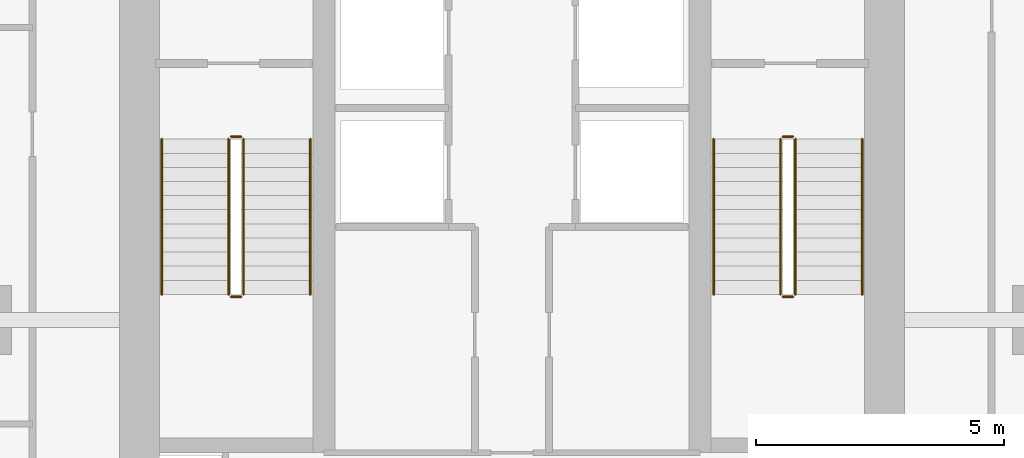
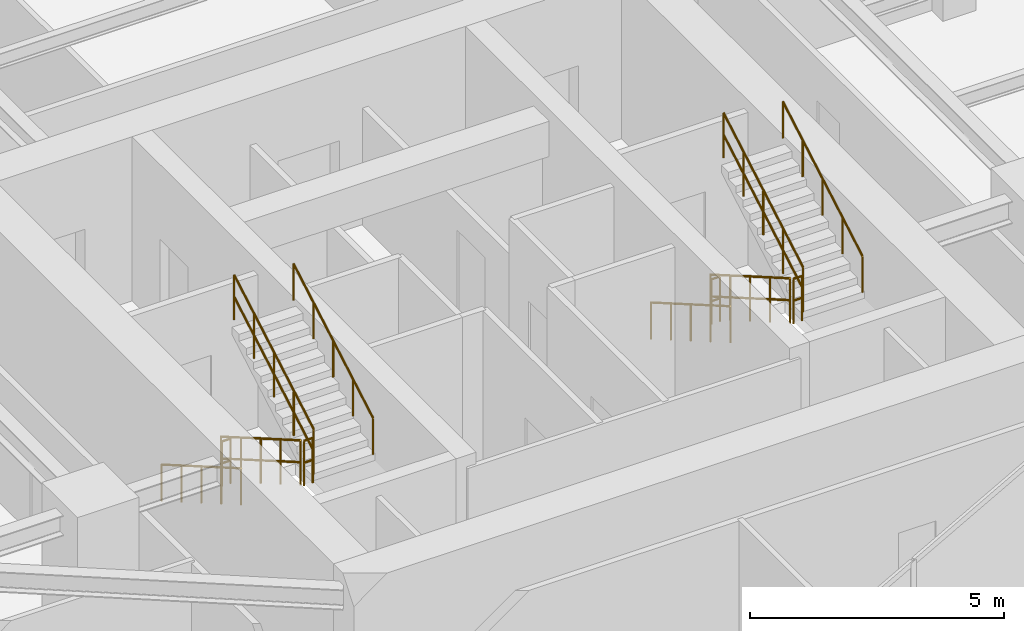
# One storey, part 21 of 22: 12 railings.
"""IFC4 building model written with IfcOpenShell, lengths in metres."""

from ifc_helpers import new_model, si_unit, direction, frame, origin, origin_2d, place, context, subcontext, project, spatial, circle, extrude, material, layer, layer_set, type_object, element, save


model = new_model("IFC4")

# Units and contexts
model_context = context("Model", 3, precision=1e-05, world=origin(), true_north=direction((0.0, 1.0)))
body_context = subcontext(model_context, "Body", "Model", "MODEL_VIEW")
ifc_project = project(units=[si_unit("LENGTHUNIT", "METRE"), si_unit("AREAUNIT", "SQUARE_METRE"), si_unit("VOLUMEUNIT", "CUBIC_METRE"), si_unit("PLANEANGLEUNIT", "RADIAN"), si_unit("MASSUNIT", "GRAM", prefix="KILO")], contexts=[model_context])

# Site, building, storey
site_placement = place(None, origin())
site = spatial("IfcSite", under=ifc_project, at=site_placement, CompositionType="ELEMENT")
building_placement = place(site_placement, origin())
building = spatial("IfcBuilding", under=site, at=building_placement, Name="Krantzveldt Concourse Tower", CompositionType="ELEMENT")
storey_placement = place(building_placement, frame((0.0, 0.0, 310.85009765625)))
storey = spatial("IfcBuildingStorey", under=building, at=storey_placement, Name="L76", CompositionType="ELEMENT", Elevation=310.85009765625)

# Railings
ifc_material = material(Name="Stainless steel 316L", Category="steel")
ifc_layer_1 = layer(ifc_material, 0.06005859375, Name="Stainless steel 316L", Category="steel")
ifc_layer_set_1 = layer_set([ifc_layer_1], Name="Stainless steel 316L (RL-GUARD-1120)")
railing_type_1 = type_object("IfcRailingType", Name="RL-GUARD-1120", PredefinedType="GUARDRAIL", material=ifc_layer_set_1)
railing_1_placement = place(storey_placement, frame((30.280029296875, 19.550048828125, 0.16455078125)))
element("IfcRailing", 1, at=railing_1_placement, inside=storey, type_object=railing_type_1, Name="L76 ST-1 stair guard 1", PredefinedType="GUARDRAIL", context=body_context, shape_type="SweptSolid", body=[
    extrude(circle(Radius=0.02392578125, at=origin_2d()), frame((0.0, 0.0, 1.076171875), z_axis=(0.0, -0.865989039225, 0.500062979975), x_axis=(1.0, 0.0, 0.0)), (0.0, 0.0, 1.0), 3.6201171875),
    extrude(circle(Radius=0.02392578125, at=origin_2d()), frame((0.0, 0.0, 0.550048828125), z_axis=(0.0, -0.865989039225, 0.500062979975), x_axis=(1.0, 0.0, 0.0)), (0.0, 0.0, 1.0), 3.6201171875),
    extrude(circle(Radius=0.02099609375, at=origin_2d()), origin(), (0.0, 0.0, 1.0), 1.052001953125),
    extrude(circle(Radius=0.02099609375, at=origin_2d()), frame((0.0, -0.78369140625, 0.45263671875)), (0.0, 0.0, 1.0), 1.052001953125),
    extrude(circle(Radius=0.02099609375, at=origin_2d()), frame((0.0, -1.5673828125, 0.9052734375)), (0.0, 0.0, 1.0), 1.052001953125),
    extrude(circle(Radius=0.02099609375, at=origin_2d()), frame((0.0, -2.351318359375, 1.357666015625)), (0.0, 0.0, 1.0), 1.052001953125),
    extrude(circle(Radius=0.02099609375, at=origin_2d()), frame((0.0, -3.135009765625, 1.810302734375)), (0.0, 0.0, 1.0), 1.052001953125),
])
railing_2_placement = place(storey_placement, frame((30.330078125, 16.364990234375, 1.974853515625)))
element("IfcRailing", 2, at=railing_2_placement, inside=storey, type_object=railing_type_1, Name="L76 ST-1 stair guard 2", PredefinedType="GUARDRAIL", context=body_context, shape_type="SweptSolid", body=[
    extrude(circle(Radius=0.02392578125, at=origin_2d()), frame((0.0, 0.0, 1.076171875), z_axis=(1.0, 0.0, 0.0), x_axis=(0.0, 1.0, 0.0)), (0.0, 0.0, 1.0), 0.199951171875),
    extrude(circle(Radius=0.02392578125, at=origin_2d()), frame((0.0, 0.0, 0.550048828125), z_axis=(1.0, 0.0, 0.0), x_axis=(0.0, 1.0, 0.0)), (0.0, 0.0, 1.0), 0.199951171875),
    extrude(circle(Radius=0.02099609375, at=origin_2d()), origin(), (0.0, 0.0, 1.0), 1.052001953125),
    extrude(circle(Radius=0.02099609375, at=origin_2d()), frame((0.199951171875, 0.0, 0.0)), (0.0, 0.0, 1.0), 1.052001953125),
])
railing_3_placement = place(storey_placement, frame((30.580078125, 16.4150390625, 2.139404296875)))
element("IfcRailing", 3, at=railing_3_placement, inside=storey, type_object=railing_type_1, Name="L76 ST-1 stair guard 3", PredefinedType="GUARDRAIL", context=body_context, shape_type="SweptSolid", body=[
    extrude(circle(Radius=0.02392578125, at=origin_2d()), frame((0.0, 0.0, 1.076171875), z_axis=(0.0, 0.865959834175, 0.500113552702), x_axis=(-1.0, 0.0, 0.0)), (0.0, 0.0, 1.0), 3.620361328125),
    extrude(circle(Radius=0.02392578125, at=origin_2d()), frame((0.0, 0.0, 0.550048828125), z_axis=(0.0, 0.865959834175, 0.500113552702), x_axis=(-1.0, 0.0, 0.0)), (0.0, 0.0, 1.0), 3.620361328125),
    extrude(circle(Radius=0.02099609375, at=origin_2d()), origin(), (0.0, 0.0, 1.0), 1.052001953125),
    extrude(circle(Radius=0.02099609375, at=origin_2d()), frame((0.0, 0.78369140625, 0.45263671875)), (0.0, 0.0, 1.0), 1.052001953125),
    extrude(circle(Radius=0.02099609375, at=origin_2d()), frame((0.0, 1.5673828125, 0.9052734375)), (0.0, 0.0, 1.0), 1.052001953125),
    extrude(circle(Radius=0.02099609375, at=origin_2d()), frame((0.0, 2.351318359375, 1.35791015625)), (0.0, 0.0, 1.0), 1.052001953125),
    extrude(circle(Radius=0.02099609375, at=origin_2d()), frame((0.0, 3.135009765625, 1.810546875)), (0.0, 0.0, 1.0), 1.052001953125),
])
railing_4_placement = place(storey_placement, frame((30.330078125, 19.60009765625, 0.0)))
element("IfcRailing", 4, at=railing_4_placement, inside=storey, type_object=railing_type_1, Name="L76 ST-1 stair guard 4", PredefinedType="GUARDRAIL", context=body_context, shape_type="SweptSolid", body=[
    extrude(circle(Radius=0.02392578125, at=origin_2d()), frame((0.0, 0.0, 1.076171875), z_axis=(1.0, 0.0, 0.0), x_axis=(0.0, 1.0, 0.0)), (0.0, 0.0, 1.0), 0.199951171875),
    extrude(circle(Radius=0.02392578125, at=origin_2d()), frame((0.0, 0.0, 0.550048828125), z_axis=(1.0, 0.0, 0.0), x_axis=(0.0, 1.0, 0.0)), (0.0, 0.0, 1.0), 0.199951171875),
    extrude(circle(Radius=0.02099609375, at=origin_2d()), origin(), (0.0, 0.0, 1.0), 1.052001953125),
    extrude(circle(Radius=0.02099609375, at=origin_2d()), frame((0.199951171875, 0.0, 0.0)), (0.0, 0.0, 1.0), 1.052001953125),
])
railing_5_placement = place(storey_placement, frame((41.419921875, 19.550048828125, 0.16455078125)))
element("IfcRailing", 5, at=railing_5_placement, inside=storey, type_object=railing_type_1, Name="L76 ST-2 stair guard 1", PredefinedType="GUARDRAIL", context=body_context, shape_type="SweptSolid", body=[
    extrude(circle(Radius=0.02392578125, at=origin_2d()), frame((0.0, 0.0, 1.076171875), z_axis=(0.0, -0.865989039225, 0.500062979975), x_axis=(1.0, 0.0, 0.0)), (0.0, 0.0, 1.0), 3.6201171875),
    extrude(circle(Radius=0.02392578125, at=origin_2d()), frame((0.0, 0.0, 0.550048828125), z_axis=(0.0, -0.865989039225, 0.500062979975), x_axis=(1.0, 0.0, 0.0)), (0.0, 0.0, 1.0), 3.6201171875),
    extrude(circle(Radius=0.02099609375, at=origin_2d()), origin(), (0.0, 0.0, 1.0), 1.052001953125),
    extrude(circle(Radius=0.02099609375, at=origin_2d()), frame((0.0, -0.78369140625, 0.45263671875)), (0.0, 0.0, 1.0), 1.052001953125),
    extrude(circle(Radius=0.02099609375, at=origin_2d()), frame((0.0, -1.5673828125, 0.9052734375)), (0.0, 0.0, 1.0), 1.052001953125),
    extrude(circle(Radius=0.02099609375, at=origin_2d()), frame((0.0, -2.351318359375, 1.357666015625)), (0.0, 0.0, 1.0), 1.052001953125),
    extrude(circle(Radius=0.02099609375, at=origin_2d()), frame((0.0, -3.135009765625, 1.810302734375)), (0.0, 0.0, 1.0), 1.052001953125),
])
railing_6_placement = place(storey_placement, frame((41.469970703125, 16.364990234375, 1.974853515625)))
element("IfcRailing", 6, at=railing_6_placement, inside=storey, type_object=railing_type_1, Name="L76 ST-2 stair guard 2", PredefinedType="GUARDRAIL", context=body_context, shape_type="SweptSolid", body=[
    extrude(circle(Radius=0.02392578125, at=origin_2d()), frame((0.0, 0.0, 1.076171875), z_axis=(1.0, 0.0, 0.0), x_axis=(0.0, 1.0, 0.0)), (0.0, 0.0, 1.0), 0.199951171875),
    extrude(circle(Radius=0.02392578125, at=origin_2d()), frame((0.0, 0.0, 0.550048828125), z_axis=(1.0, 0.0, 0.0), x_axis=(0.0, 1.0, 0.0)), (0.0, 0.0, 1.0), 0.199951171875),
    extrude(circle(Radius=0.02099609375, at=origin_2d()), origin(), (0.0, 0.0, 1.0), 1.052001953125),
    extrude(circle(Radius=0.02099609375, at=origin_2d()), frame((0.199951171875, 0.0, 0.0)), (0.0, 0.0, 1.0), 1.052001953125),
])
railing_7_placement = place(storey_placement, frame((41.719970703125, 16.4150390625, 2.139404296875)))
element("IfcRailing", 7, at=railing_7_placement, inside=storey, type_object=railing_type_1, Name="L76 ST-2 stair guard 3", PredefinedType="GUARDRAIL", context=body_context, shape_type="SweptSolid", body=[
    extrude(circle(Radius=0.02392578125, at=origin_2d()), frame((0.0, 0.0, 1.076171875), z_axis=(0.0, 0.865959834175, 0.500113552702), x_axis=(-1.0, 0.0, 0.0)), (0.0, 0.0, 1.0), 3.620361328125),
    extrude(circle(Radius=0.02392578125, at=origin_2d()), frame((0.0, 0.0, 0.550048828125), z_axis=(0.0, 0.865959834175, 0.500113552702), x_axis=(-1.0, 0.0, 0.0)), (0.0, 0.0, 1.0), 3.620361328125),
    extrude(circle(Radius=0.02099609375, at=origin_2d()), origin(), (0.0, 0.0, 1.0), 1.052001953125),
    extrude(circle(Radius=0.02099609375, at=origin_2d()), frame((0.0, 0.78369140625, 0.45263671875)), (0.0, 0.0, 1.0), 1.052001953125),
    extrude(circle(Radius=0.02099609375, at=origin_2d()), frame((0.0, 1.5673828125, 0.9052734375)), (0.0, 0.0, 1.0), 1.052001953125),
    extrude(circle(Radius=0.02099609375, at=origin_2d()), frame((0.0, 2.351318359375, 1.35791015625)), (0.0, 0.0, 1.0), 1.052001953125),
    extrude(circle(Radius=0.02099609375, at=origin_2d()), frame((0.0, 3.135009765625, 1.810546875)), (0.0, 0.0, 1.0), 1.052001953125),
])
railing_8_placement = place(storey_placement, frame((41.469970703125, 19.60009765625, 0.0)))
element("IfcRailing", 8, at=railing_8_placement, inside=storey, type_object=railing_type_1, Name="L76 ST-2 stair guard 4", PredefinedType="GUARDRAIL", context=body_context, shape_type="SweptSolid", body=[
    extrude(circle(Radius=0.02392578125, at=origin_2d()), frame((0.0, 0.0, 1.076171875), z_axis=(1.0, 0.0, 0.0), x_axis=(0.0, 1.0, 0.0)), (0.0, 0.0, 1.0), 0.199951171875),
    extrude(circle(Radius=0.02392578125, at=origin_2d()), frame((0.0, 0.0, 0.550048828125), z_axis=(1.0, 0.0, 0.0), x_axis=(0.0, 1.0, 0.0)), (0.0, 0.0, 1.0), 0.199951171875),
    extrude(circle(Radius=0.02099609375, at=origin_2d()), origin(), (0.0, 0.0, 1.0), 1.052001953125),
    extrude(circle(Radius=0.02099609375, at=origin_2d()), frame((0.199951171875, 0.0, 0.0)), (0.0, 0.0, 1.0), 1.052001953125),
])
ifc_layer_2 = layer(ifc_material, 0.050048828125, Name="Stainless steel 316L", Category="steel")
ifc_layer_set_2 = layer_set([ifc_layer_2], Name="Stainless steel 316L (RL-HANDRAIL-920)")
railing_type_2 = type_object("IfcRailingType", Name="RL-HANDRAIL-920", PredefinedType="HANDRAIL", material=ifc_layer_set_2)
railing_9_placement = place(storey_placement, frame((28.929931640625, 19.550048828125, 0.16455078125)))
element("IfcRailing", 9, at=railing_9_placement, inside=storey, type_object=railing_type_2, Name="L76 ST-1 stair handrail 1", PredefinedType="HANDRAIL", context=body_context, shape_type="SweptSolid", body=[
    extrude(circle(Radius=0.02392578125, at=origin_2d()), frame((0.0, 0.0, 0.8759765625), z_axis=(0.0, -0.865989039225, 0.500062979975), x_axis=(1.0, 0.0, 0.0)), (0.0, 0.0, 1.0), 3.6201171875),
    extrude(circle(Radius=0.02099609375, at=origin_2d()), origin(), (0.0, 0.0, 1.0), 0.851806640625),
    extrude(circle(Radius=0.02099609375, at=origin_2d()), frame((0.0, -0.78369140625, 0.45263671875)), (0.0, 0.0, 1.0), 0.851806640625),
    extrude(circle(Radius=0.02099609375, at=origin_2d()), frame((0.0, -1.5673828125, 0.9052734375)), (0.0, 0.0, 1.0), 0.851806640625),
    extrude(circle(Radius=0.02099609375, at=origin_2d()), frame((0.0, -2.351318359375, 1.357666015625)), (0.0, 0.0, 1.0), 0.851806640625),
    extrude(circle(Radius=0.02099609375, at=origin_2d()), frame((0.0, -3.135009765625, 1.810302734375)), (0.0, 0.0, 1.0), 0.851806640625),
])
railing_10_placement = place(storey_placement, frame((31.929931640625, 16.4150390625, 2.139404296875)))
element("IfcRailing", 10, at=railing_10_placement, inside=storey, type_object=railing_type_2, Name="L76 ST-1 stair handrail 2", PredefinedType="HANDRAIL", context=body_context, shape_type="SweptSolid", body=[
    extrude(circle(Radius=0.02392578125, at=origin_2d()), frame((0.0, 0.0, 0.8759765625), z_axis=(0.0, 0.865959834175, 0.500113552702), x_axis=(-1.0, 0.0, 0.0)), (0.0, 0.0, 1.0), 3.620361328125),
    extrude(circle(Radius=0.02099609375, at=origin_2d()), origin(), (0.0, 0.0, 1.0), 0.851806640625),
    extrude(circle(Radius=0.02099609375, at=origin_2d()), frame((0.0, 0.78369140625, 0.45263671875)), (0.0, 0.0, 1.0), 0.851806640625),
    extrude(circle(Radius=0.02099609375, at=origin_2d()), frame((0.0, 1.5673828125, 0.9052734375)), (0.0, 0.0, 1.0), 0.851806640625),
    extrude(circle(Radius=0.02099609375, at=origin_2d()), frame((0.0, 2.351318359375, 1.35791015625)), (0.0, 0.0, 1.0), 0.851806640625),
    extrude(circle(Radius=0.02099609375, at=origin_2d()), frame((0.0, 3.135009765625, 1.810546875)), (0.0, 0.0, 1.0), 0.851806640625),
])
railing_11_placement = place(storey_placement, frame((40.070068359375, 19.550048828125, 0.16455078125)))
element("IfcRailing", 11, at=railing_11_placement, inside=storey, type_object=railing_type_2, Name="L76 ST-2 stair handrail 1", PredefinedType="HANDRAIL", context=body_context, shape_type="SweptSolid", body=[
    extrude(circle(Radius=0.02392578125, at=origin_2d()), frame((0.0, 0.0, 0.8759765625), z_axis=(0.0, -0.865989039225, 0.500062979975), x_axis=(1.0, 0.0, 0.0)), (0.0, 0.0, 1.0), 3.6201171875),
    extrude(circle(Radius=0.02099609375, at=origin_2d()), origin(), (0.0, 0.0, 1.0), 0.851806640625),
    extrude(circle(Radius=0.02099609375, at=origin_2d()), frame((0.0, -0.78369140625, 0.45263671875)), (0.0, 0.0, 1.0), 0.851806640625),
    extrude(circle(Radius=0.02099609375, at=origin_2d()), frame((0.0, -1.5673828125, 0.9052734375)), (0.0, 0.0, 1.0), 0.851806640625),
    extrude(circle(Radius=0.02099609375, at=origin_2d()), frame((0.0, -2.351318359375, 1.357666015625)), (0.0, 0.0, 1.0), 0.851806640625),
    extrude(circle(Radius=0.02099609375, at=origin_2d()), frame((0.0, -3.135009765625, 1.810302734375)), (0.0, 0.0, 1.0), 0.851806640625),
])
railing_12_placement = place(storey_placement, frame((43.070068359375, 16.4150390625, 2.139404296875)))
element("IfcRailing", 12, at=railing_12_placement, inside=storey, type_object=railing_type_2, Name="L76 ST-2 stair handrail 2", PredefinedType="HANDRAIL", context=body_context, shape_type="SweptSolid", body=[
    extrude(circle(Radius=0.02392578125, at=origin_2d()), frame((0.0, 0.0, 0.8759765625), z_axis=(0.0, 0.865959834175, 0.500113552702), x_axis=(-1.0, 0.0, 0.0)), (0.0, 0.0, 1.0), 3.620361328125),
    extrude(circle(Radius=0.02099609375, at=origin_2d()), origin(), (0.0, 0.0, 1.0), 0.851806640625),
    extrude(circle(Radius=0.02099609375, at=origin_2d()), frame((0.0, 0.78369140625, 0.45263671875)), (0.0, 0.0, 1.0), 0.851806640625),
    extrude(circle(Radius=0.02099609375, at=origin_2d()), frame((0.0, 1.5673828125, 0.9052734375)), (0.0, 0.0, 1.0), 0.851806640625),
    extrude(circle(Radius=0.02099609375, at=origin_2d()), frame((0.0, 2.351318359375, 1.35791015625)), (0.0, 0.0, 1.0), 0.851806640625),
    extrude(circle(Radius=0.02099609375, at=origin_2d()), frame((0.0, 3.135009765625, 1.810546875)), (0.0, 0.0, 1.0), 0.851806640625),
])

save(model, "model.ifc")
